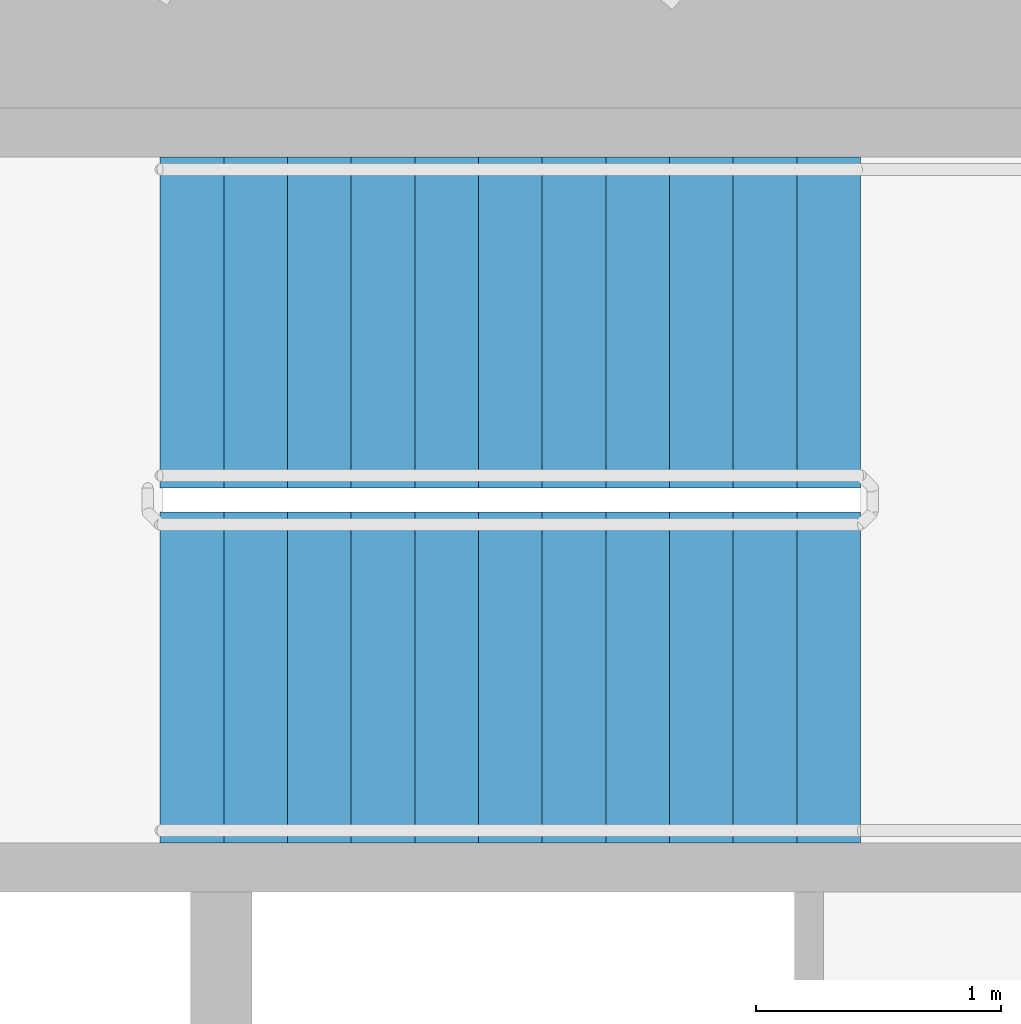
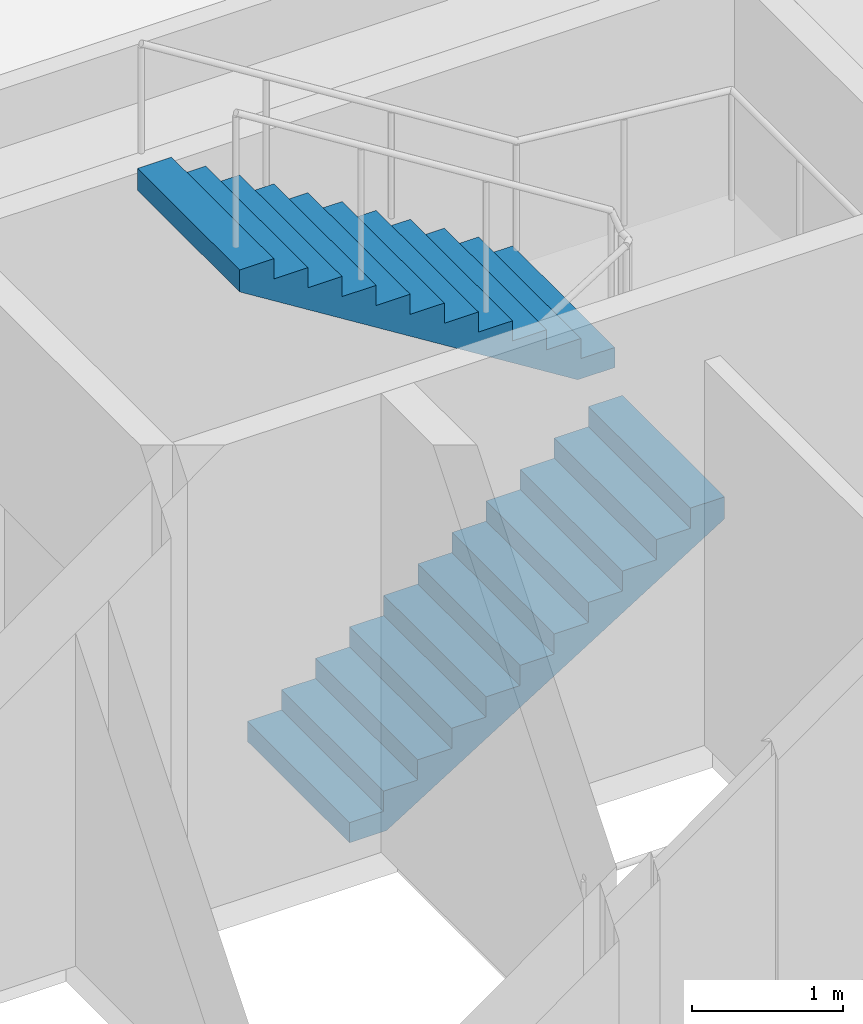
# One storey, part 11 of 12: 2 stair flights, 1 element without a shape of its own.
"""IFC4 building model written with IfcOpenShell, lengths in metres."""

from ifc_helpers import new_model, si_unit, direction, frame, origin, place, context, subcontext, project, spatial, polyline, outline, extrude, source, transform, mapped, material, type_object, element, aggregate, save


model = new_model("IFC4")

# Units and contexts
model_context = context("Model", 3, precision=1e-05, world=origin(), true_north=direction((0.0, 1.0)))
body_context = subcontext(model_context, "Body", "Model", "MODEL_VIEW")
ifc_project = project(units=[si_unit("LENGTHUNIT", "METRE"), si_unit("AREAUNIT", "SQUARE_METRE"), si_unit("VOLUMEUNIT", "CUBIC_METRE"), si_unit("PLANEANGLEUNIT", "RADIAN"), si_unit("MASSUNIT", "GRAM", prefix="KILO")], contexts=[model_context])

# Site, building, storey
site_placement = place(None, origin())
site = spatial("IfcSite", under=ifc_project, at=site_placement, CompositionType="ELEMENT")
building_placement = place(site_placement, origin())
building = spatial("IfcBuilding", under=site, at=building_placement, Name="Embergate Tower", CompositionType="ELEMENT")
storey_placement = place(building_placement, frame((0.0, 0.0, 309.10009765625)))
storey = spatial("IfcBuildingStorey", under=building, at=storey_placement, Name="L72", CompositionType="ELEMENT", Elevation=309.10009765625)

# Stair, stair flights
ifc_material_1 = material(Name="Exit stair")
stair_type = type_object("IfcStairType", Name="Exit stair", PredefinedType="HALF_TURN_STAIR", material=ifc_material_1)
stair_placement = place(storey_placement, origin())
stair = element("IfcStair", 1, at=stair_placement, inside=storey, type_object=stair_type, Name="L72 Exit stair 2", PredefinedType="HALF_TURN_STAIR")
ifc_material_2 = material(Name="Concrete C40", Category="concrete")
stair_flight_type = type_object("IfcStairFlightType", Name="Stair flight reinforced concrete", PredefinedType="STRAIGHT", material=ifc_material_2)
shared_shape = source(origin(), body_context, "Body", "SweptSolid", [
    extrude(outline(polyline([(0.0, 0.0), (0.0, 0.16259765625), (0.260009765625, 0.16259765625), (0.260009765625, 0.324951171875), (0.52001953125, 0.324951171875), (0.52001953125, 0.487548828125), (0.780029296875, 0.487548828125), (0.780029296875, 0.64990234375), (1.0400390625, 0.64990234375), (1.0400390625, 0.8125), (1.300048828125, 0.8125), (1.300048828125, 0.97509765625), (1.56005859375, 0.97509765625), (1.56005859375, 1.137451171875), (1.820068359375, 1.137451171875), (1.820068359375, 1.300048828125), (2.080078125, 1.300048828125), (2.080078125, 1.46240234375), (2.340087890625, 1.46240234375), (2.340087890625, 1.625), (2.60009765625, 1.625), (2.60009765625, 1.78759765625), (2.860107421875, 1.78759765625), (2.860107421875, 1.949951171875), (2.860107421875, 1.61083984375), (0.28271484375, 0.0), (0.0, 0.0)])), frame((0.0, 0.675048828125, 0.0), z_axis=(0.0, -1.0, 0.0), x_axis=(1.0, 0.0, 0.0)), (0.0, 0.0, 1.0), 1.35009765625),
])
stair_flight_1_placement = place(storey_placement, frame((5.75, 6.175048828125, 0.0), z_axis=(0.0, 0.0, 1.0), x_axis=(1.0, 0.0, 0.0)))
stair_flight_1 = element("IfcStairFlight", 2, at=stair_flight_1_placement, type_object=stair_flight_type, Name="ST2 flight 1", NumberOfRisers=12, NumberOfTreads=11, PredefinedType="STRAIGHT", RiserHeight=0.1625, TreadLength=0.26, context=body_context, shape_type="MappedRepresentation", body=[
    mapped(shared_shape, transform((0.0, 0.0, 0.0))),
])
stair_flight_2_placement = place(storey_placement, frame((8.610107421875, 7.625, 1.949951171875), z_axis=(0.0, 0.0, 1.0), x_axis=(-1.0, 0.0, 0.0)))
stair_flight_2 = element("IfcStairFlight", 3, at=stair_flight_2_placement, type_object=stair_flight_type, Name="ST2 flight 2", NumberOfRisers=12, NumberOfTreads=11, PredefinedType="STRAIGHT", RiserHeight=0.1625, TreadLength=0.26, context=body_context, shape_type="MappedRepresentation", body=[
    mapped(shared_shape, transform((0.0, 0.0, 0.0))),
])
aggregate(stair, [stair_flight_1, stair_flight_2])

save(model, "model.ifc")
